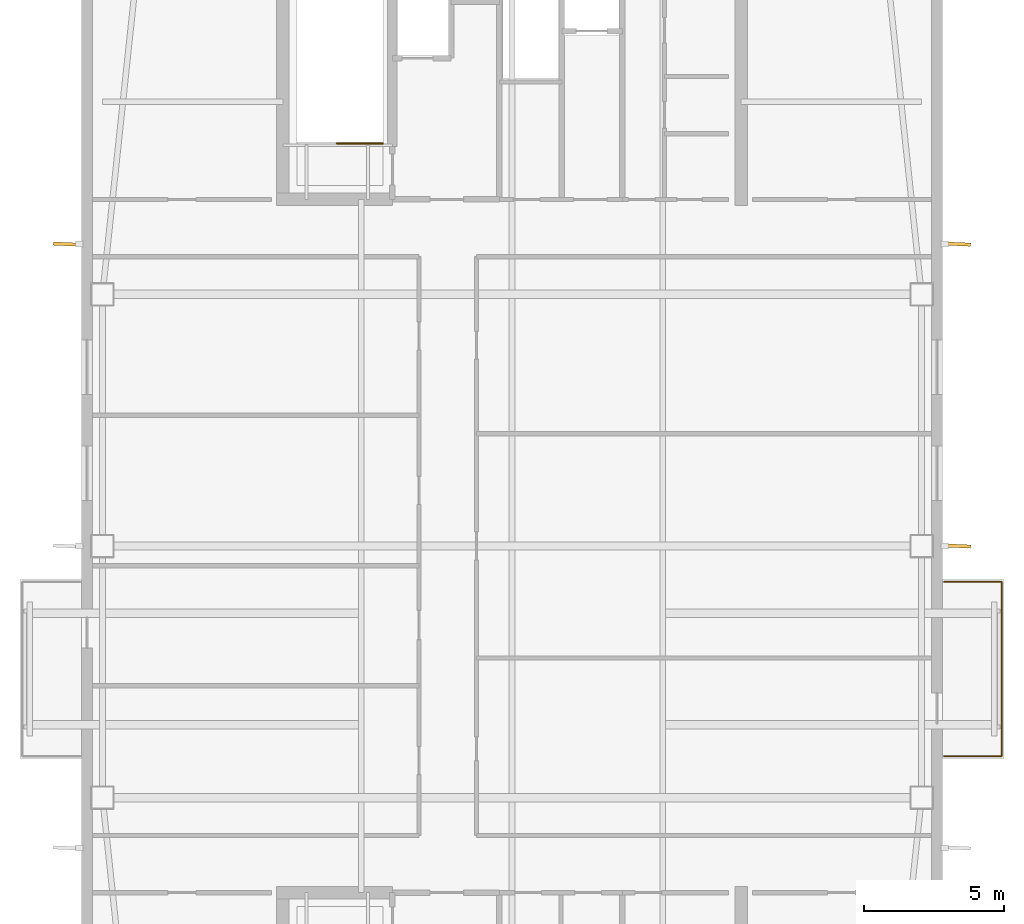
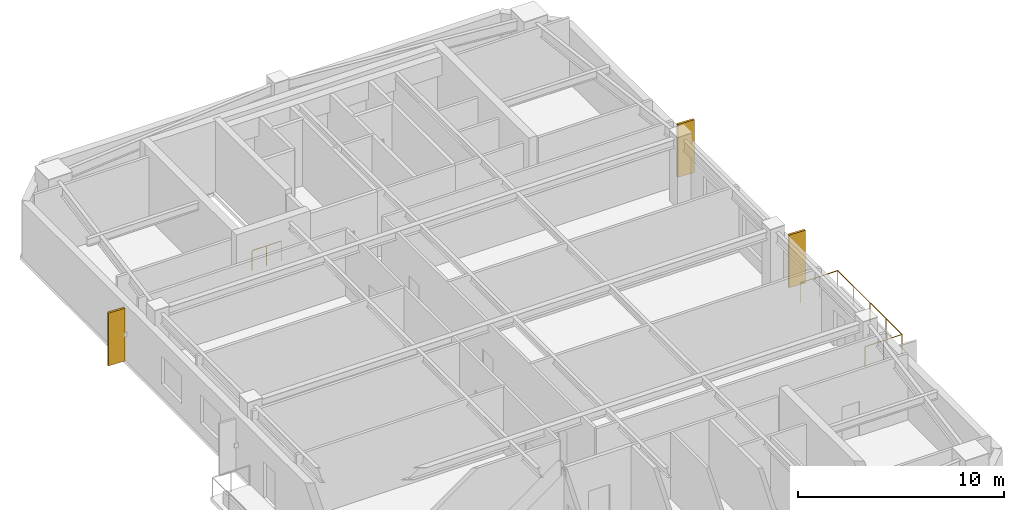
# One storey, part 6 of 6: 3 shading devices, 2 railings.
"""IFC4 building model written with IfcOpenShell, lengths in metres."""

from ifc_helpers import new_model, si_unit, direction, frame, origin, origin_2d, place, context, subcontext, project, spatial, rectangle, circle, extrude, material, layer, layer_set, type_object, element, save


model = new_model("IFC4")

# Units and contexts
model_context = context("Model", 3, precision=1e-05, world=origin(), true_north=direction((0.0, 1.0)))
body_context = subcontext(model_context, "Body", "Model", "MODEL_VIEW")
ifc_project = project(units=[si_unit("LENGTHUNIT", "METRE"), si_unit("AREAUNIT", "SQUARE_METRE"), si_unit("VOLUMEUNIT", "CUBIC_METRE"), si_unit("PLANEANGLEUNIT", "RADIAN"), si_unit("MASSUNIT", "GRAM", prefix="KILO")], contexts=[model_context])

# Site, building, storey
site_placement = place(None, origin())
site = spatial("IfcSite", under=ifc_project, at=site_placement, CompositionType="ELEMENT")
building_placement = place(site_placement, origin())
building = spatial("IfcBuilding", under=site, at=building_placement, Name="Qiaolan Cultural Towers", CompositionType="ELEMENT")
storey_placement = place(building_placement, frame((0.0, 0.0, 276.0)))
storey = spatial("IfcBuildingStorey", under=building, at=storey_placement, Name="L76", CompositionType="ELEMENT", Elevation=276.0)

# Railings
ifc_material_1 = material(Name="Laminated SentryGlas & Stainless Steel S31608 Balustrade", Category="steel")
railing_type_1 = type_object("IfcRailingType", Name="GRD-TERR-1200", PredefinedType="BALUSTRADE", material=ifc_material_1)
railing_1_placement = place(storey_placement, frame((45.449951171875, 26.47998046875, 0.0)))
element("IfcRailing", 1, at=railing_1_placement, inside=storey, type_object=railing_type_1, Name="L76 T1 Tree Balcony Guardrail E", PredefinedType="BALUSTRADE", context=body_context, shape_type="SweptSolid", body=[
    extrude(circle(Radius=0.02392578125, at=origin_2d()), frame((0.0, 0.0, 1.17578125), z_axis=(1.0, 0.0, 0.0), x_axis=(0.0, 1.0, 0.0)), (0.0, 0.0, 1.0), 2.070068359375),
    extrude(circle(Radius=0.02392578125, at=origin_2d()), frame((2.070068359375, 0.0, 1.17578125), z_axis=(0.0, 1.0, 0.0), x_axis=(-1.0, 0.0, 0.0)), (0.0, 0.0, 1.0), 6.239990234375),
    extrude(circle(Radius=0.02392578125, at=origin_2d()), frame((2.070068359375, 6.239990234375, 1.17578125), z_axis=(-1.0, 0.0, 0.0), x_axis=(0.0, -1.0, 0.0)), (0.0, 0.0, 1.0), 2.070068359375),
    extrude(circle(Radius=0.02099609375, at=origin_2d()), origin(), (0.0, 0.0, 1.0), 1.15185546875),
    extrude(circle(Radius=0.02099609375, at=origin_2d()), frame((1.03515625, 0.0, 0.0)), (0.0, 0.0, 1.0), 1.15185546875),
    extrude(circle(Radius=0.02099609375, at=origin_2d()), frame((2.070068359375, 0.0, 0.0)), (0.0, 0.0, 1.0), 1.15185546875),
    extrude(circle(Radius=0.02099609375, at=origin_2d()), frame((2.070068359375, 1.56005859375, 0.0)), (0.0, 0.0, 1.0), 1.15185546875),
    extrude(circle(Radius=0.02099609375, at=origin_2d()), frame((2.070068359375, 3.1201171875, 0.0)), (0.0, 0.0, 1.0), 1.15185546875),
    extrude(circle(Radius=0.02099609375, at=origin_2d()), frame((2.070068359375, 4.679931640625, 0.0)), (0.0, 0.0, 1.0), 1.15185546875),
    extrude(circle(Radius=0.02099609375, at=origin_2d()), frame((2.070068359375, 6.239990234375, 0.0)), (0.0, 0.0, 1.0), 1.15185546875),
    extrude(circle(Radius=0.02099609375, at=origin_2d()), frame((1.03515625, 6.239990234375, 0.0)), (0.0, 0.0, 1.0), 1.15185546875),
    extrude(circle(Radius=0.02099609375, at=origin_2d()), frame((0.0, 6.239990234375, 0.0)), (0.0, 0.0, 1.0), 1.15185546875),
])
ifc_material_2 = material(Name="Galvanized Painted Steel Stair Guardrail", Category="steel")
railing_type_2 = type_object("IfcRailingType", Name="RL-STAIR-GRD", PredefinedType="GUARDRAIL", material=ifc_material_2)
railing_2_placement = place(storey_placement, frame((25.3798828125, 48.39990234375, 0.0)))
element("IfcRailing", 2, at=railing_2_placement, inside=storey, type_object=railing_type_2, Name="L76 ST-W2 top well guard 1", PredefinedType="GUARDRAIL", context=body_context, shape_type="SweptSolid", body=[
    extrude(circle(Radius=0.02392578125, at=origin_2d()), frame((0.0, 0.0, 1.17578125), z_axis=(-1.0, 0.0, 0.0), x_axis=(0.0, -1.0, 0.0)), (0.0, 0.0, 1.0), 1.639892578125),
    extrude(circle(Radius=0.02099609375, at=origin_2d()), origin(), (0.0, 0.0, 1.0), 1.15185546875),
    extrude(circle(Radius=0.02099609375, at=origin_2d()), frame((-0.81982421875, 0.0, 0.0)), (0.0, 0.0, 1.0), 1.15185546875),
    extrude(circle(Radius=0.02099609375, at=origin_2d()), frame((-1.639892578125, 0.0, 0.0)), (0.0, 0.0, 1.0), 1.15185546875),
])

# Shading devices
ifc_material_3 = material(Name="Light Limestone Precast Vertical Fin", Category="masonry")
ifc_layer = layer(ifc_material_3, 0.1201171875)
ifc_layer_set = layer_set([ifc_layer], Name="Light Limestone Precast Vertical Fin")
shading_device_type = type_object("IfcShadingDeviceType", Name="SHD-FIN-WHITE", PredefinedType="USERDEFINED", material=ifc_layer_set)
for number, where, z_axis, x_axis, name in (
    (3, (14.0400390625, 44.800048828125, 0.10009765625), (0.0, 0.0, 1.0), (0.998966827039, -0.045445335018, 0.0), "L76 T1 Expressive Precast Vertical Fin W3"),
    (4, (45.9599609375, 34.0, 0.10009765625), (0.0, 0.0, 1.0), (0.998966827039, -0.045445335018, 0.0), "L76 T1 Expressive Precast Vertical Fin E2"),
    (5, (45.9599609375, 44.800048828125, 0.10009765625), (0.0, 0.0, 1.0), (0.998966827039, -0.045445335018, 0.0), "L76 T1 Expressive Precast Vertical Fin E3"),
):
    element("IfcShadingDevice", number, at=place(storey_placement, frame(where, z_axis=z_axis, x_axis=x_axis)), inside=storey, type_object=shading_device_type, Name=name, ObjectType="FIN", PredefinedType="USERDEFINED", context=body_context, shape_type="SweptSolid", body=[
        extrude(rectangle(XDim=0.89990234375, YDim=0.1201171875, at=origin_2d()), origin(), (0.0, 0.0, 1.0), 3.1298828125),
    ])

save(model, "model.ifc")
